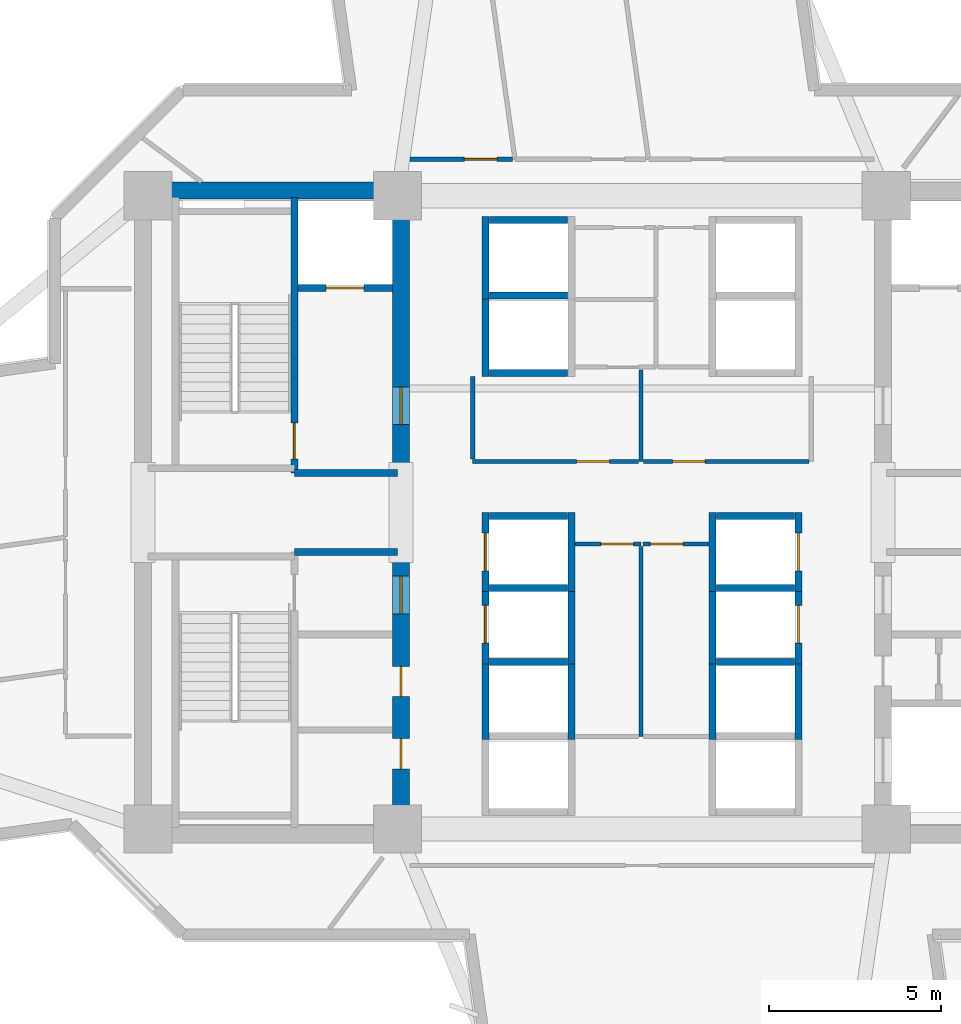
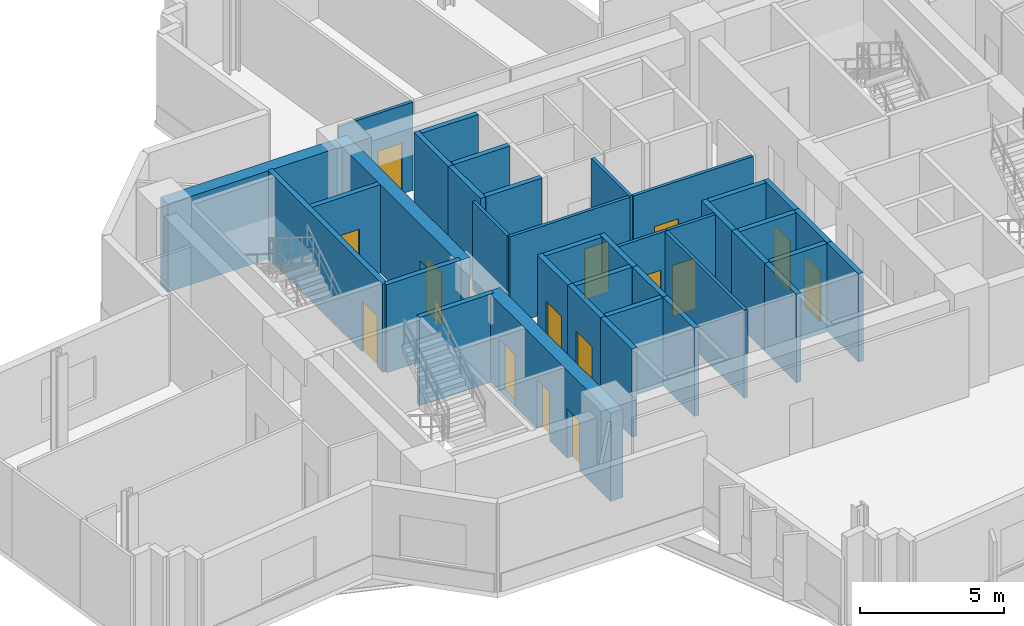
# One storey, part 7 of 14: 38 walls, 15 doors, 15 openings.
"""IFC4 building model written with IfcOpenShell, lengths in metres."""

from ifc_helpers import new_model, si_unit, direction, frame, frame_2d, origin, place, context, subcontext, project, spatial, rectangle, extrude, source, transform, mapped, material, layer, layer_set, type_object, element, fill, save


model = new_model("IFC4")

# Units and contexts
model_context = context("Model", 3, precision=1e-05, world=origin(), true_north=direction((0.0, 1.0)))
body_context = subcontext(model_context, "Body", "Model", "MODEL_VIEW")
ifc_project = project(units=[si_unit("LENGTHUNIT", "METRE"), si_unit("AREAUNIT", "SQUARE_METRE"), si_unit("VOLUMEUNIT", "CUBIC_METRE"), si_unit("PLANEANGLEUNIT", "RADIAN"), si_unit("MASSUNIT", "GRAM", prefix="KILO")], contexts=[model_context])

# Site, building, storey
site_placement = place(None, origin())
site = spatial("IfcSite", under=ifc_project, at=site_placement, CompositionType="ELEMENT")
building_placement = place(site_placement, origin())
building = spatial("IfcBuilding", under=site, at=building_placement, Name="Zahravan Cultural Tower", CompositionType="ELEMENT")
storey_placement = place(building_placement, frame((0.0, 0.0, 121.5)))
storey = spatial("IfcBuildingStorey", under=building, at=storey_placement, Name="L27", CompositionType="ELEMENT", Elevation=121.5)

# Wall, openings, doors
ifc_material_1 = material(Name="Concrete C60/75", Category="concrete")
ifc_layer_1 = layer(ifc_material_1, 0.5)
ifc_layer_set_1 = layer_set([ifc_layer_1], Name="Concrete C60/75")
wall_type_1 = type_object("IfcWallType", Name="CW-SHEAR-500-C60", PredefinedType="SHEAR", material=ifc_layer_set_1)
wall_1_placement = place(storey_placement, frame((29.0, 17.39990234375, 0.0), z_axis=(0.0, 0.0, 1.0), x_axis=(0.0, 1.0, 0.0)))
wall_1 = element("IfcWall", 1, at=wall_1_placement, inside=storey, type_object=wall_type_1, Name="L27 Core Shear Wall CW-W-ES-L27", PredefinedType="SHEAR", context=body_context, shape_type="SweptSolid", body=[
    extrude(rectangle(XDim=8.550048828125, YDim=0.5, at=frame_2d((4.27490234375, 0.0))), origin(), (0.0, 0.0, 1.0), 3.75),
])
opening_1_placement = place(wall_1_placement, frame((6.64990234375, 0.0, 0.0)))
opening_1 = element("IfcOpeningElement", 2, at=opening_1_placement, cuts=wall_1, Name="Opening D-L27-07", PredefinedType="OPENING", context=body_context, shape_type="SweptSolid", body=[
    extrude(rectangle(XDim=1.10009765625, YDim=2.199951171875, at=frame_2d((0.550048828125, 1.10009765625))), frame((0.0, 0.260009765625, 0.0), z_axis=(0.0, -1.0, 0.0), x_axis=(1.0, 0.0, 0.0)), (0.0, 0.0, 1.0), 0.52001953125),
])
opening_2_placement = place(wall_1_placement, frame((2.14990234375, 0.0, 0.0)))
opening_2 = element("IfcOpeningElement", 3, at=opening_2_placement, cuts=wall_1, Name="Opening D-L27-09", PredefinedType="OPENING", context=body_context, shape_type="SweptSolid", body=[
    extrude(rectangle(XDim=0.8798828125, YDim=2.10009765625, at=frame_2d((0.43994140625, 1.050048828125))), frame((0.0, 0.260009765625, 0.0), z_axis=(0.0, -1.0, 0.0), x_axis=(1.0, 0.0, 0.0)), (0.0, 0.0, 1.0), 0.52001953125),
])
opening_3_placement = place(wall_1_placement, frame((4.25, 0.0, 0.0)))
opening_3 = element("IfcOpeningElement", 4, at=opening_3_placement, cuts=wall_1, Name="Opening D-L27-10", PredefinedType="OPENING", context=body_context, shape_type="SweptSolid", body=[
    extrude(rectangle(XDim=0.8798828125, YDim=2.10009765625, at=frame_2d((0.43994140625, 1.050048828125))), frame((0.0, 0.260009765625, 0.0), z_axis=(0.0, -1.0, 0.0), x_axis=(1.0, 0.0, 0.0)), (0.0, 0.0, 1.0), 0.52001953125),
])
ifc_material_2 = material(Name="Steel ASTM A572 Grade 50", Category="steel")
door_type_1 = type_object("IfcDoorType", Name="DR-LOBBY-1100", OperationType="NOTDEFINED", PredefinedType="DOOR", material=ifc_material_2)
shared_shape_1 = source(origin(), body_context, "Body", "SweptSolid", [
    extrude(rectangle(XDim=1.10009765625, YDim=2.199951171875, at=frame_2d((0.550048828125, 1.10009765625))), frame((0.0, 0.02490234375, 0.0), z_axis=(0.0, -1.0, 0.0), x_axis=(1.0, 0.0, 0.0)), (0.0, 0.0, 1.0), 0.050048828125),
])
door_1_placement = place(opening_1_placement, origin())
door_1 = element("IfcDoor", 5, at=door_1_placement, inside=storey, type_object=door_type_1, Name="L27 Door D-L27-07", OperationType="SINGLE_SWING_LEFT", OverallHeight=2.199951171875, OverallWidth=1.10009765625, PredefinedType="DOOR", context=body_context, shape_type="MappedRepresentation", body=[
    mapped(shared_shape_1, transform((0.0, 0.0, 0.0), x_axis=(1.0, 0.0, 0.0), y_axis=(0.0, 1.0, 0.0), z_axis=(0.0, 0.0, 1.0), scale=1.0)),
])
fill(opening_1, door_1)
door_type_2 = type_object("IfcDoorType", Name="DR-SVC-880", OperationType="NOTDEFINED", PredefinedType="DOOR", material=ifc_material_2)
shared_shape_2 = source(origin(), body_context, "Body", "SweptSolid", [
    extrude(rectangle(XDim=0.8798828125, YDim=2.10009765625, at=frame_2d((0.43994140625, 1.050048828125))), frame((0.0, 0.02490234375, 0.0), z_axis=(0.0, -1.0, 0.0), x_axis=(1.0, 0.0, 0.0)), (0.0, 0.0, 1.0), 0.050048828125),
])
door_2_placement = place(opening_2_placement, origin())
door_2 = element("IfcDoor", 6, at=door_2_placement, inside=storey, type_object=door_type_2, Name="L27 Door D-L27-09", OperationType="SINGLE_SWING_LEFT", OverallHeight=2.10009765625, OverallWidth=0.8798828125, PredefinedType="DOOR", context=body_context, shape_type="MappedRepresentation", body=[
    mapped(shared_shape_2, transform((0.0, 0.0, 0.0), x_axis=(1.0, 0.0, 0.0), y_axis=(0.0, 1.0, 0.0), z_axis=(0.0, 0.0, 1.0), scale=1.0)),
])
fill(opening_2, door_2)
door_3_placement = place(opening_3_placement, origin())
door_3 = element("IfcDoor", 7, at=door_3_placement, inside=storey, type_object=door_type_2, Name="L27 Door D-L27-10", OperationType="SINGLE_SWING_RIGHT", OverallHeight=2.10009765625, OverallWidth=0.8798828125, PredefinedType="DOOR", context=body_context, shape_type="MappedRepresentation", body=[
    mapped(shared_shape_2, transform((0.0, 0.0, 0.0), x_axis=(1.0, 0.0, 0.0), y_axis=(0.0, 1.0, 0.0), z_axis=(0.0, 0.0, 1.0), scale=1.0)),
])
fill(opening_3, door_3)

# Wall, opening, door
wall_2_placement = place(storey_placement, frame((29.0, 28.050048828125, 0.0), z_axis=(0.0, 0.0, 1.0), x_axis=(0.0, 1.0, 0.0)))
wall_2 = element("IfcWall", 8, at=wall_2_placement, inside=storey, type_object=wall_type_1, Name="L27 Core Shear Wall CW-W-EN-L27", PredefinedType="SHEAR", context=body_context, shape_type="SweptSolid", body=[
    extrude(rectangle(XDim=8.550048828125, YDim=0.5, at=frame_2d((4.27490234375, 0.0))), origin(), (0.0, 0.0, 1.0), 3.75),
])
opening_4_placement = place(wall_2_placement, frame((1.5, 0.0, 0.0)))
opening_4 = element("IfcOpeningElement", 9, at=opening_4_placement, cuts=wall_2, Name="Opening D-L27-05", PredefinedType="OPENING", context=body_context, shape_type="SweptSolid", body=[
    extrude(rectangle(XDim=1.10009765625, YDim=2.199951171875, at=frame_2d((0.550048828125, 1.10009765625))), frame((0.0, 0.260009765625, 0.0), z_axis=(0.0, -1.0, 0.0), x_axis=(1.0, 0.0, 0.0)), (0.0, 0.0, 1.0), 0.52001953125),
])
door_4_placement = place(opening_4_placement, origin())
door_4 = element("IfcDoor", 10, at=door_4_placement, inside=storey, type_object=door_type_1, Name="L27 Door D-L27-05", OperationType="SINGLE_SWING_LEFT", OverallHeight=2.199951171875, OverallWidth=1.10009765625, PredefinedType="DOOR", context=body_context, shape_type="MappedRepresentation", body=[
    mapped(shared_shape_1, transform((0.0, 0.0, 0.0), x_axis=(1.0, 0.0, 0.0), y_axis=(0.0, 1.0, 0.0), z_axis=(0.0, 0.0, 1.0), scale=1.0)),
])
fill(opening_4, door_4)

ifc_material_3 = material(Name="Gypsum plasterboard partition")
ifc_layer_2 = layer(ifc_material_3, 0.125)
ifc_layer_set_2 = layer_set([ifc_layer_2], Name="Gypsum plasterboard partition")
wall_type_2 = type_object("IfcWallType", Name="W-PART-125", PredefinedType="PARTITIONING", material=ifc_layer_set_2)
wall_3_placement = place(storey_placement, frame((34.054931640625, 26.080078125, 0.0), z_axis=(0.0, 0.0, 1.0), x_axis=(1.0, 0.0, 0.0)))
wall_3 = element("IfcWall", 11, at=wall_3_placement, inside=storey, type_object=wall_type_2, Name="L27 Interior Wall 075", PredefinedType="PARTITIONING", context=body_context, shape_type="SweptSolid", body=[
    extrude(rectangle(XDim=1.9150390625, YDim=0.125, at=frame_2d((0.95751953125, 0.0))), origin(), (0.0, 0.0, 1.0), 3.75),
])
opening_5_placement = place(wall_3_placement, frame((0.752685546875, 0.0, 0.0)))
opening_5 = element("IfcOpeningElement", 12, at=opening_5_placement, cuts=wall_3, Name="Opening D-L27-15", PredefinedType="OPENING", context=body_context, shape_type="SweptSolid", body=[
    extrude(rectangle(XDim=0.949951171875, YDim=2.14990234375, at=frame_2d((0.47509765625, 1.074951171875))), frame((0.0, 0.072509765625, 0.0), z_axis=(0.0, -1.0, 0.0), x_axis=(1.0, 0.0, 0.0)), (0.0, 0.0, 1.0), 0.14501953125),
])
ifc_material_4 = material(Name="Anodised bronze-aluminium mullion", Category="aluminium")
door_type_3 = type_object("IfcDoorType", Name="DR-ROOM-950", OperationType="NOTDEFINED", PredefinedType="DOOR", material=ifc_material_4)
shared_shape_3 = source(origin(), body_context, "Body", "SweptSolid", [
    extrude(rectangle(XDim=0.949951171875, YDim=2.14990234375, at=frame_2d((0.47509765625, 1.074951171875))), frame((0.0, 0.02490234375, 0.0), z_axis=(0.0, -1.0, 0.0), x_axis=(1.0, 0.0, 0.0)), (0.0, 0.0, 1.0), 0.050048828125),
])
door_5_placement = place(opening_5_placement, origin())
door_5 = element("IfcDoor", 13, at=door_5_placement, inside=storey, type_object=door_type_3, Name="L27 Door D-L27-15", OperationType="SINGLE_SWING_LEFT", OverallHeight=2.14990234375, OverallWidth=0.949951171875, PredefinedType="DOOR", context=body_context, shape_type="MappedRepresentation", body=[
    mapped(shared_shape_3, transform((0.0, 0.0, 0.0), x_axis=(1.0, 0.0, 0.0), y_axis=(0.0, 1.0, 0.0), z_axis=(0.0, 0.0, 1.0), scale=1.0)),
])
fill(opening_5, door_5)

wall_4_placement = place(storey_placement, frame((36.030029296875, 26.080078125, 0.0), z_axis=(0.0, 0.0, 1.0), x_axis=(1.0, 0.0, 0.0)))
wall_4 = element("IfcWall", 14, at=wall_4_placement, inside=storey, type_object=wall_type_2, Name="L27 Interior Wall 078", PredefinedType="PARTITIONING", context=body_context, shape_type="SweptSolid", body=[
    extrude(rectangle(XDim=1.9150390625, YDim=0.125, at=frame_2d((0.95751953125, 0.0))), origin(), (0.0, 0.0, 1.0), 3.75),
])
opening_6_placement = place(wall_4_placement, frame((0.21240234375, 0.0, 0.0)))
opening_6 = element("IfcOpeningElement", 15, at=opening_6_placement, cuts=wall_4, Name="Opening D-L27-16", PredefinedType="OPENING", context=body_context, shape_type="SweptSolid", body=[
    extrude(rectangle(XDim=0.949951171875, YDim=2.14990234375, at=frame_2d((0.47509765625, 1.074951171875))), frame((0.0, 0.072509765625, 0.0), z_axis=(0.0, -1.0, 0.0), x_axis=(1.0, 0.0, 0.0)), (0.0, 0.0, 1.0), 0.14501953125),
])
door_6_placement = place(opening_6_placement, origin())
door_6 = element("IfcDoor", 16, at=door_6_placement, inside=storey, type_object=door_type_3, Name="L27 Door D-L27-16", OperationType="SINGLE_SWING_RIGHT", OverallHeight=2.14990234375, OverallWidth=0.949951171875, PredefinedType="DOOR", context=body_context, shape_type="MappedRepresentation", body=[
    mapped(shared_shape_3, transform((0.0, 0.0, 0.0), x_axis=(1.0, 0.0, 0.0), y_axis=(0.0, 1.0, 0.0), z_axis=(0.0, 0.0, 1.0), scale=1.0)),
])
fill(opening_6, door_6)

wall_5_placement = place(storey_placement, frame((35.902587890625, 28.47998046875, 0.0), z_axis=(0.0, 0.0, 1.0), x_axis=(-1.0, 0.0, 0.0)))
wall_5 = element("IfcWall", 17, at=wall_5_placement, inside=storey, type_object=wall_type_2, Name="L27 Interior Wall 081", PredefinedType="PARTITIONING", context=body_context, shape_type="SweptSolid", body=[
    extrude(rectangle(XDim=4.822509765625, YDim=0.125, at=frame_2d((2.4111328125, 0.0))), origin(), (0.0, 0.0, 1.0), 3.75),
])
opening_7_placement = place(wall_5_placement, frame((0.85205078125, 0.0, 0.0)))
opening_7 = element("IfcOpeningElement", 18, at=opening_7_placement, cuts=wall_5, Name="Opening D-L27-17", PredefinedType="OPENING", context=body_context, shape_type="SweptSolid", body=[
    extrude(rectangle(XDim=0.949951171875, YDim=2.14990234375, at=frame_2d((0.47509765625, 1.074951171875))), frame((0.0, 0.072509765625, 0.0), z_axis=(0.0, -1.0, 0.0), x_axis=(1.0, 0.0, 0.0)), (0.0, 0.0, 1.0), 0.14501953125),
])
door_7_placement = place(opening_7_placement, origin())
door_7 = element("IfcDoor", 19, at=door_7_placement, inside=storey, type_object=door_type_3, Name="L27 Door D-L27-17", OperationType="SINGLE_SWING_LEFT", OverallHeight=2.14990234375, OverallWidth=0.949951171875, PredefinedType="DOOR", context=body_context, shape_type="MappedRepresentation", body=[
    mapped(shared_shape_3, transform((0.0, 0.0, 0.0), x_axis=(1.0, 0.0, 0.0), y_axis=(0.0, 1.0, 0.0), z_axis=(0.0, 0.0, 1.0), scale=1.0)),
])
fill(opening_7, door_7)

wall_6_placement = place(storey_placement, frame((40.8525390625, 28.47998046875, 0.0), z_axis=(0.0, 0.0, 1.0), x_axis=(-1.0, 0.0, 0.0)))
wall_6 = element("IfcWall", 20, at=wall_6_placement, inside=storey, type_object=wall_type_2, Name="L27 Interior Wall 084", PredefinedType="PARTITIONING", context=body_context, shape_type="SweptSolid", body=[
    extrude(rectangle(XDim=4.81494140625, YDim=0.125, at=frame_2d((2.407470703125, 0.0))), origin(), (0.0, 0.0, 1.0), 3.75),
])
opening_8_placement = place(wall_6_placement, frame((3.0146484375, 0.0, 0.0)))
opening_8 = element("IfcOpeningElement", 21, at=opening_8_placement, cuts=wall_6, Name="Opening D-L27-18", PredefinedType="OPENING", context=body_context, shape_type="SweptSolid", body=[
    extrude(rectangle(XDim=0.949951171875, YDim=2.14990234375, at=frame_2d((0.47509765625, 1.074951171875))), frame((0.0, 0.072509765625, 0.0), z_axis=(0.0, -1.0, 0.0), x_axis=(1.0, 0.0, 0.0)), (0.0, 0.0, 1.0), 0.14501953125),
])
door_8_placement = place(opening_8_placement, origin())
door_8 = element("IfcDoor", 22, at=door_8_placement, inside=storey, type_object=door_type_3, Name="L27 Door D-L27-18", OperationType="SINGLE_SWING_RIGHT", OverallHeight=2.14990234375, OverallWidth=0.949951171875, PredefinedType="DOOR", context=body_context, shape_type="MappedRepresentation", body=[
    mapped(shared_shape_3, transform((0.0, 0.0, 0.0), x_axis=(1.0, 0.0, 0.0), y_axis=(0.0, 1.0, 0.0), z_axis=(0.0, 0.0, 1.0), scale=1.0)),
])
fill(opening_8, door_8)

wall_7_placement = place(storey_placement, frame((32.24169921875, 37.260009765625, 0.0), z_axis=(0.0, 0.0, 1.0), x_axis=(-0.999999916483, -0.00040869704, 0.0)))
wall_7 = element("IfcWall", 23, at=wall_7_placement, inside=storey, type_object=wall_type_2, Name="L27 Interior Wall 097", PredefinedType="PARTITIONING", context=body_context, shape_type="SweptSolid", body=[
    extrude(rectangle(XDim=2.98681640625, YDim=0.125, at=frame_2d((1.493408203125, 0.0))), origin(), (0.0, 0.0, 1.0), 3.75),
])
opening_9_placement = place(wall_7_placement, frame((0.447998046875, 0.0, 0.0)))
opening_9 = element("IfcOpeningElement", 24, at=opening_9_placement, cuts=wall_7, Name="Opening D-L27-24", PredefinedType="OPENING", context=body_context, shape_type="SweptSolid", body=[
    extrude(rectangle(XDim=0.949951171875, YDim=2.14990234375, at=frame_2d((0.47509765625, 1.074951171875))), frame((0.0, 0.072509765625, 0.0), z_axis=(0.0, -1.0, 0.0), x_axis=(1.0, 0.0, 0.0)), (0.0, 0.0, 1.0), 0.14501953125),
])
door_9_placement = place(opening_9_placement, origin())
door_9 = element("IfcDoor", 25, at=door_9_placement, inside=storey, type_object=door_type_3, Name="L27 Door D-L27-24", OperationType="SINGLE_SWING_RIGHT", OverallHeight=2.14990234375, OverallWidth=0.949951171875, PredefinedType="DOOR", context=body_context, shape_type="MappedRepresentation", body=[
    mapped(shared_shape_3, transform((0.0, 0.0, 0.0), x_axis=(1.0, 0.0, 0.0), y_axis=(0.0, 1.0, 0.0), z_axis=(0.0, 0.0, 1.0), scale=1.0)),
])
fill(opening_9, door_9)

ifc_material_5 = material(Name="Concrete C45/55", Category="concrete")
ifc_layer_3 = layer(ifc_material_5, 0.199951171875)
ifc_layer_set_3 = layer_set([ifc_layer_3], Name="Concrete C45/55")
wall_type_3 = type_object("IfcWallType", Name="W-SHAFT-200", PredefinedType="SOLIDWALL", material=ifc_layer_set_3)
wall_8_placement = place(storey_placement, frame((25.89990234375, 28.14990234375, 0.0), z_axis=(0.0, 0.0, 1.0), x_axis=(0.0, 1.0, 0.0)))
wall_8 = element("IfcWall", 26, at=wall_8_placement, inside=storey, type_object=wall_type_3, Name="L27 Interior Wall 006", PredefinedType="SOLIDWALL", context=body_context, shape_type="SweptSolid", body=[
    extrude(rectangle(XDim=8.0, YDim=0.199951171875, at=frame_2d((4.0, 0.0))), origin(), (0.0, 0.0, 1.0), 3.75),
])
opening_10_placement = place(wall_8_placement, frame((0.39990234375, 0.0, 0.0)))
opening_10 = element("IfcOpeningElement", 27, at=opening_10_placement, cuts=wall_8, Name="Opening D-L27-01", PredefinedType="OPENING", context=body_context, shape_type="SweptSolid", body=[
    extrude(rectangle(XDim=1.050048828125, YDim=2.14990234375, at=frame_2d((0.52490234375, 1.074951171875))), frame((0.0, 0.10986328125, 0.0), z_axis=(0.0, -1.0, 0.0), x_axis=(1.0, 0.0, 0.0)), (0.0, 0.0, 1.0), 0.219970703125),
])
door_type_4 = type_object("IfcDoorType", Name="DR-STAIR-1050", OperationType="NOTDEFINED", PredefinedType="DOOR", material=ifc_material_2)
shared_shape_4 = source(origin(), body_context, "Body", "SweptSolid", [
    extrude(rectangle(XDim=1.050048828125, YDim=2.14990234375, at=frame_2d((0.52490234375, 1.074951171875))), frame((0.0, 0.02490234375, 0.0), z_axis=(0.0, -1.0, 0.0), x_axis=(1.0, 0.0, 0.0)), (0.0, 0.0, 1.0), 0.050048828125),
])
door_10_placement = place(opening_10_placement, origin())
door_10 = element("IfcDoor", 28, at=door_10_placement, inside=storey, type_object=door_type_4, Name="L27 Door D-L27-01", OperationType="SINGLE_SWING_LEFT", OverallHeight=2.14990234375, OverallWidth=1.050048828125, PredefinedType="DOOR", context=body_context, shape_type="MappedRepresentation", body=[
    mapped(shared_shape_4, transform((0.0, 0.0, 0.0), x_axis=(1.0, 0.0, 0.0), y_axis=(0.0, 1.0, 0.0), z_axis=(0.0, 0.0, 1.0), scale=1.0)),
])
fill(opening_10, door_10)

wall_9_placement = place(storey_placement, frame((26.0, 33.52001953125, 0.0), z_axis=(0.0, 0.0, 1.0), x_axis=(1.0, 0.0, 0.0)))
wall_9 = element("IfcWall", 29, at=wall_9_placement, inside=storey, type_object=wall_type_3, Name="L27 Interior Wall 021", PredefinedType="SOLIDWALL", context=body_context, shape_type="SweptSolid", body=[
    extrude(rectangle(XDim=2.75, YDim=0.199951171875, at=frame_2d((1.375, 0.0))), origin(), (0.0, 0.0, 1.0), 3.75),
])
opening_11_placement = place(wall_9_placement, frame((0.820068359375, 0.0, 0.0)))
opening_11 = element("IfcOpeningElement", 30, at=opening_11_placement, cuts=wall_9, Name="Opening LD-L27-01", PredefinedType="OPENING", context=body_context, shape_type="SweptSolid", body=[
    extrude(rectangle(XDim=1.10009765625, YDim=2.14990234375, at=frame_2d((0.550048828125, 1.074951171875))), frame((0.0, 0.10986328125, 0.0), z_axis=(0.0, -1.0, 0.0), x_axis=(1.0, 0.0, 0.0)), (0.0, 0.0, 1.0), 0.219970703125),
])
door_type_5 = type_object("IfcDoorType", Name="DR-LIFT-1100", OperationType="DOUBLE_DOOR_SLIDING", PredefinedType="DOOR", material=ifc_material_2)
shared_shape_5 = source(origin(), body_context, "Body", "SweptSolid", [
    extrude(rectangle(XDim=1.10009765625, YDim=2.14990234375, at=frame_2d((0.550048828125, 1.074951171875))), frame((0.0, 0.02490234375, 0.0), z_axis=(0.0, -1.0, 0.0), x_axis=(1.0, 0.0, 0.0)), (0.0, 0.0, 1.0), 0.050048828125),
])
door_11_placement = place(opening_11_placement, origin())
door_11 = element("IfcDoor", 31, at=door_11_placement, inside=storey, type_object=door_type_5, Name="L27 Door LD-L27-01", OperationType="DOUBLE_DOOR_SLIDING", OverallHeight=2.14990234375, OverallWidth=1.10009765625, PredefinedType="DOOR", context=body_context, shape_type="MappedRepresentation", body=[
    mapped(shared_shape_5, transform((0.0, 0.0, 0.0), x_axis=(1.0, 0.0, 0.0), y_axis=(0.0, 1.0, 0.0), z_axis=(0.0, 0.0, 1.0), scale=1.0)),
])
fill(opening_11, door_11)

wall_10_placement = place(storey_placement, frame((31.449951171875, 24.699951171875, 0.0), z_axis=(0.0, 0.0, 1.0), x_axis=(0.0, 1.0, 0.0)))
wall_10 = element("IfcWall", 32, at=wall_10_placement, inside=storey, type_object=wall_type_3, Name="L27 Interior Wall 056", PredefinedType="SOLIDWALL", context=body_context, shape_type="SweptSolid", body=[
    extrude(rectangle(XDim=2.300048828125, YDim=0.199951171875, at=frame_2d((1.14990234375, 0.0))), origin(), (0.0, 0.0, 1.0), 3.75),
])
opening_12_placement = place(wall_10_placement, frame((0.60009765625, 0.0, 0.0)))
opening_12 = element("IfcOpeningElement", 33, at=opening_12_placement, cuts=wall_10, Name="Opening LD-L27-04", PredefinedType="OPENING", context=body_context, shape_type="SweptSolid", body=[
    extrude(rectangle(XDim=1.10009765625, YDim=2.14990234375, at=frame_2d((0.550048828125, 1.074951171875))), frame((0.0, 0.10986328125, 0.0), z_axis=(0.0, -1.0, 0.0), x_axis=(1.0, 0.0, 0.0)), (0.0, 0.0, 1.0), 0.219970703125),
])
door_12_placement = place(opening_12_placement, origin())
door_12 = element("IfcDoor", 34, at=door_12_placement, inside=storey, type_object=door_type_5, Name="L27 Door LD-L27-04", OperationType="DOUBLE_DOOR_SLIDING", OverallHeight=2.14990234375, OverallWidth=1.10009765625, PredefinedType="DOOR", context=body_context, shape_type="MappedRepresentation", body=[
    mapped(shared_shape_5, transform((0.0, 0.0, 0.0), x_axis=(1.0, 0.0, 0.0), y_axis=(0.0, 1.0, 0.0), z_axis=(0.0, 0.0, 1.0), scale=1.0)),
])
fill(opening_12, door_12)

wall_11_placement = place(storey_placement, frame((31.449951171875, 22.60009765625, 0.0), z_axis=(0.0, 0.0, 1.0), x_axis=(0.0, 1.0, 0.0)))
wall_11 = element("IfcWall", 35, at=wall_11_placement, inside=storey, type_object=wall_type_3, Name="L27 Interior Wall 060", PredefinedType="SOLIDWALL", context=body_context, shape_type="SweptSolid", body=[
    extrude(rectangle(XDim=2.2998046875, YDim=0.199951171875, at=frame_2d((1.14990234375, 0.0))), origin(), (0.0, 0.0, 1.0), 3.75),
])
opening_13_placement = place(wall_11_placement, frame((0.60009765625, 0.0, 0.0)))
opening_13 = element("IfcOpeningElement", 36, at=opening_13_placement, cuts=wall_11, Name="Opening LD-L27-05", PredefinedType="OPENING", context=body_context, shape_type="SweptSolid", body=[
    extrude(rectangle(XDim=1.10009765625, YDim=2.14990234375, at=frame_2d((0.550048828125, 1.074951171875))), frame((0.0, 0.10986328125, 0.0), z_axis=(0.0, -1.0, 0.0), x_axis=(1.0, 0.0, 0.0)), (0.0, 0.0, 1.0), 0.219970703125),
])
door_13_placement = place(opening_13_placement, origin())
door_13 = element("IfcDoor", 37, at=door_13_placement, inside=storey, type_object=door_type_5, Name="L27 Door LD-L27-05", OperationType="DOUBLE_DOOR_SLIDING", OverallHeight=2.14990234375, OverallWidth=1.10009765625, PredefinedType="DOOR", context=body_context, shape_type="MappedRepresentation", body=[
    mapped(shared_shape_5, transform((0.0, 0.0, 0.0), x_axis=(1.0, 0.0, 0.0), y_axis=(0.0, 1.0, 0.0), z_axis=(0.0, 0.0, 1.0), scale=1.0)),
])
fill(opening_13, door_13)

wall_12_placement = place(storey_placement, frame((40.550048828125, 24.699951171875, 0.0), z_axis=(0.0, 0.0, 1.0), x_axis=(0.0, 1.0, 0.0)))
wall_12 = element("IfcWall", 38, at=wall_12_placement, inside=storey, type_object=wall_type_3, Name="L27 Interior Wall 063", PredefinedType="SOLIDWALL", context=body_context, shape_type="SweptSolid", body=[
    extrude(rectangle(XDim=2.300048828125, YDim=0.199951171875, at=frame_2d((1.14990234375, 0.0))), origin(), (0.0, 0.0, 1.0), 3.75),
])
opening_14_placement = place(wall_12_placement, frame((0.60009765625, 0.0, 0.0)))
opening_14 = element("IfcOpeningElement", 39, at=opening_14_placement, cuts=wall_12, Name="Opening LD-L27-06", PredefinedType="OPENING", context=body_context, shape_type="SweptSolid", body=[
    extrude(rectangle(XDim=1.10009765625, YDim=2.14990234375, at=frame_2d((0.550048828125, 1.074951171875))), frame((0.0, 0.10986328125, 0.0), z_axis=(0.0, -1.0, 0.0), x_axis=(1.0, 0.0, 0.0)), (0.0, 0.0, 1.0), 0.219970703125),
])
door_14_placement = place(opening_14_placement, origin())
door_14 = element("IfcDoor", 40, at=door_14_placement, inside=storey, type_object=door_type_5, Name="L27 Door LD-L27-06", OperationType="DOUBLE_DOOR_SLIDING", OverallHeight=2.14990234375, OverallWidth=1.10009765625, PredefinedType="DOOR", context=body_context, shape_type="MappedRepresentation", body=[
    mapped(shared_shape_5, transform((0.0, 0.0, 0.0), x_axis=(1.0, 0.0, 0.0), y_axis=(0.0, 1.0, 0.0), z_axis=(0.0, 0.0, 1.0), scale=1.0)),
])
fill(opening_14, door_14)

wall_13_placement = place(storey_placement, frame((40.550048828125, 22.60009765625, 0.0), z_axis=(0.0, 0.0, 1.0), x_axis=(0.0, 1.0, 0.0)))
wall_13 = element("IfcWall", 41, at=wall_13_placement, inside=storey, type_object=wall_type_3, Name="L27 Interior Wall 067", PredefinedType="SOLIDWALL", context=body_context, shape_type="SweptSolid", body=[
    extrude(rectangle(XDim=2.2998046875, YDim=0.199951171875, at=frame_2d((1.14990234375, 0.0))), origin(), (0.0, 0.0, 1.0), 3.75),
])
opening_15_placement = place(wall_13_placement, frame((0.60009765625, 0.0, 0.0)))
opening_15 = element("IfcOpeningElement", 42, at=opening_15_placement, cuts=wall_13, Name="Opening LD-L27-07", PredefinedType="OPENING", context=body_context, shape_type="SweptSolid", body=[
    extrude(rectangle(XDim=1.10009765625, YDim=2.14990234375, at=frame_2d((0.550048828125, 1.074951171875))), frame((0.0, 0.10986328125, 0.0), z_axis=(0.0, -1.0, 0.0), x_axis=(1.0, 0.0, 0.0)), (0.0, 0.0, 1.0), 0.219970703125),
])
door_15_placement = place(opening_15_placement, origin())
door_15 = element("IfcDoor", 43, at=door_15_placement, inside=storey, type_object=door_type_5, Name="L27 Door LD-L27-07", OperationType="DOUBLE_DOOR_SLIDING", OverallHeight=2.14990234375, OverallWidth=1.10009765625, PredefinedType="DOOR", context=body_context, shape_type="MappedRepresentation", body=[
    mapped(shared_shape_5, transform((0.0, 0.0, 0.0), x_axis=(1.0, 0.0, 0.0), y_axis=(0.0, 1.0, 0.0), z_axis=(0.0, 0.0, 1.0), scale=1.0)),
])
fill(opening_15, door_15)

# Walls
shared_shape_6 = source(origin(), body_context, "Body", "SweptSolid", [
    extrude(rectangle(XDim=7.0, YDim=0.5, at=frame_2d((3.5, 0.0))), origin(), (0.0, 0.0, 1.0), 3.75),
])
wall_14_placement = place(storey_placement, frame((21.75, 36.35009765625, 0.0), z_axis=(0.0, 0.0, 1.0), x_axis=(1.0, 0.0, 0.0)))
element("IfcWall", 44, at=wall_14_placement, inside=storey, type_object=wall_type_1, Name="L27 Core Shear Wall CW-W-N-L27", PredefinedType="SHEAR", context=body_context, shape_type="MappedRepresentation", body=[
    mapped(shared_shape_6, transform((0.0, 0.0, 0.0), x_axis=(1.0, 0.0, 0.0), y_axis=(0.0, 1.0, 0.0), z_axis=(0.0, 0.0, 1.0), scale=1.0)),
])
shared_shape_7 = source(origin(), body_context, "Body", "SweptSolid", [
    extrude(rectangle(XDim=3.0, YDim=0.199951171875, at=frame_2d((1.5, 0.0))), origin(), (0.0, 0.0, 1.0), 3.75),
])
for number, where, z_axis, x_axis, name in (
    (45, (25.89990234375, 25.85009765625, 0.0), (0.0, 0.0, 1.0), (1.0, 0.0, 0.0), "L27 Interior Wall 010"),
    (46, (25.89990234375, 28.14990234375, 0.0), (0.0, 0.0, 1.0), (1.0, 0.0, 0.0), "L27 Interior Wall 012"),
):
    element("IfcWall", number, at=place(storey_placement, frame(where, z_axis=z_axis, x_axis=x_axis)), inside=storey, type_object=wall_type_3, Name=name, PredefinedType="SOLIDWALL", context=body_context, shape_type="MappedRepresentation", body=[
        mapped(shared_shape_7, transform((0.0, 0.0, 0.0), x_axis=(1.0, 0.0, 0.0), y_axis=(0.0, 1.0, 0.0), z_axis=(0.0, 0.0, 1.0), scale=1.0)),
    ])
shared_shape_8 = source(origin(), body_context, "Body", "SweptSolid", [
    extrude(rectangle(XDim=2.400146484375, YDim=0.199951171875, at=frame_2d((1.2001953125, 0.0))), origin(), (0.0, 0.0, 1.0), 3.75),
])
for number, where, z_axis, x_axis, name in (
    (47, (31.449951171875, 33.199951171875, 0.0), (0.0, 0.0, 1.0), (0.0, 1.0, 0.0), "L27 Interior Wall 028"),
    (48, (31.449951171875, 30.949951171875, 0.0), (0.0, 0.0, 1.0), (0.0, 1.0, 0.0), "L27 Interior Wall 032"),
):
    element("IfcWall", number, at=place(storey_placement, frame(where, z_axis=z_axis, x_axis=x_axis)), inside=storey, type_object=wall_type_3, Name=name, PredefinedType="SOLIDWALL", context=body_context, shape_type="MappedRepresentation", body=[
        mapped(shared_shape_8, transform((0.0, 0.0, 0.0), x_axis=(1.0, 0.0, 0.0), y_axis=(0.0, 1.0, 0.0), z_axis=(0.0, 0.0, 1.0), scale=1.0)),
    ])
shared_shape_9 = source(origin(), body_context, "Body", "SweptSolid", [
    extrude(rectangle(XDim=2.260009765625, YDim=0.199951171875, at=frame_2d((1.1298828125, 0.0))), origin(), (0.0, 0.0, 1.0), 3.75),
])
for number, where, z_axis, x_axis, name in (
    (49, (31.570068359375, 33.300048828125, 0.0), (0.0, 0.0, 1.0), (1.0, 0.0, 0.0), "L27 Interior Wall 030"),
    (50, (31.570068359375, 35.5, 0.0), (0.0, 0.0, 1.0), (1.0, 0.0, 0.0), "L27 Interior Wall 031"),
    (51, (31.570068359375, 31.050048828125, 0.0), (0.0, 0.0, 1.0), (1.0, 0.0, 0.0), "L27 Interior Wall 034"),
    (52, (31.570068359375, 22.64990234375, 0.0), (0.0, 0.0, 1.0), (1.0, 0.0, 0.0), "L27 Interior Wall 045"),
    (53, (38.169921875, 22.64990234375, 0.0), (0.0, 0.0, 1.0), (1.0, 0.0, 0.0), "L27 Interior Wall 052"),
    (54, (31.570068359375, 24.800048828125, 0.0), (0.0, 0.0, 1.0), (1.0, 0.0, 0.0), "L27 Interior Wall 058"),
    (55, (31.570068359375, 26.89990234375, 0.0), (0.0, 0.0, 1.0), (1.0, 0.0, 0.0), "L27 Interior Wall 059"),
    (56, (38.169921875, 24.800048828125, 0.0), (0.0, 0.0, 1.0), (1.0, 0.0, 0.0), "L27 Interior Wall 064"),
    (57, (38.169921875, 26.89990234375, 0.0), (0.0, 0.0, 1.0), (1.0, 0.0, 0.0), "L27 Interior Wall 065"),
):
    element("IfcWall", number, at=place(storey_placement, frame(where, z_axis=z_axis, x_axis=x_axis)), inside=storey, type_object=wall_type_3, Name=name, PredefinedType="SOLIDWALL", context=body_context, shape_type="MappedRepresentation", body=[
        mapped(shared_shape_9, transform((0.0, 0.0, 0.0), x_axis=(1.0, 0.0, 0.0), y_axis=(0.0, 1.0, 0.0), z_axis=(0.0, 0.0, 1.0), scale=1.0)),
    ])
shared_shape_10 = source(origin(), body_context, "Body", "SweptSolid", [
    extrude(rectangle(XDim=2.35009765625, YDim=0.199951171875, at=frame_2d((1.175048828125, 0.0))), origin(), (0.0, 0.0, 1.0), 3.75),
])
for number, where, z_axis, x_axis, name in (
    (58, (31.449951171875, 20.39990234375, 0.0), (0.0, 0.0, 1.0), (0.0, 1.0, 0.0), "L27 Interior Wall 042"),
    (59, (33.949951171875, 20.39990234375, 0.0), (0.0, 0.0, 1.0), (0.0, 1.0, 0.0), "L27 Interior Wall 043"),
    (60, (38.050048828125, 20.39990234375, 0.0), (0.0, 0.0, 1.0), (0.0, 1.0, 0.0), "L27 Interior Wall 049"),
    (61, (40.550048828125, 20.39990234375, 0.0), (0.0, 0.0, 1.0), (0.0, 1.0, 0.0), "L27 Interior Wall 050"),
):
    element("IfcWall", number, at=place(storey_placement, frame(where, z_axis=z_axis, x_axis=x_axis)), inside=storey, type_object=wall_type_3, Name=name, PredefinedType="SOLIDWALL", context=body_context, shape_type="MappedRepresentation", body=[
        mapped(shared_shape_10, transform((0.0, 0.0, 0.0), x_axis=(1.0, 0.0, 0.0), y_axis=(0.0, 1.0, 0.0), z_axis=(0.0, 0.0, 1.0), scale=1.0)),
    ])
shared_shape_11 = source(origin(), body_context, "Body", "SweptSolid", [
    extrude(rectangle(XDim=2.300048828125, YDim=0.199951171875, at=frame_2d((1.14990234375, 0.0))), origin(), (0.0, 0.0, 1.0), 3.75),
])
for number, where, z_axis, x_axis, name in (
    (62, (33.949951171875, 24.699951171875, 0.0), (0.0, 0.0, 1.0), (0.0, 1.0, 0.0), "L27 Interior Wall 057"),
    (63, (38.050048828125, 24.699951171875, 0.0), (0.0, 0.0, 1.0), (0.0, 1.0, 0.0), "L27 Interior Wall 062"),
):
    element("IfcWall", number, at=place(storey_placement, frame(where, z_axis=z_axis, x_axis=x_axis)), inside=storey, type_object=wall_type_3, Name=name, PredefinedType="SOLIDWALL", context=body_context, shape_type="MappedRepresentation", body=[
        mapped(shared_shape_11, transform((0.0, 0.0, 0.0), x_axis=(1.0, 0.0, 0.0), y_axis=(0.0, 1.0, 0.0), z_axis=(0.0, 0.0, 1.0), scale=1.0)),
    ])
shared_shape_12 = source(origin(), body_context, "Body", "SweptSolid", [
    extrude(rectangle(XDim=2.2998046875, YDim=0.199951171875, at=frame_2d((1.14990234375, 0.0))), origin(), (0.0, 0.0, 1.0), 3.75),
])
for number, where, z_axis, x_axis, name in (
    (64, (33.949951171875, 22.60009765625, 0.0), (0.0, 0.0, 1.0), (0.0, 1.0, 0.0), "L27 Interior Wall 061"),
    (65, (38.050048828125, 22.60009765625, 0.0), (0.0, 0.0, 1.0), (0.0, 1.0, 0.0), "L27 Interior Wall 066"),
):
    element("IfcWall", number, at=place(storey_placement, frame(where, z_axis=z_axis, x_axis=x_axis)), inside=storey, type_object=wall_type_3, Name=name, PredefinedType="SOLIDWALL", context=body_context, shape_type="MappedRepresentation", body=[
        mapped(shared_shape_12, transform((0.0, 0.0, 0.0), x_axis=(1.0, 0.0, 0.0), y_axis=(0.0, 1.0, 0.0), z_axis=(0.0, 0.0, 1.0), scale=1.0)),
    ])
shared_shape_13 = source(origin(), body_context, "Body", "SweptSolid", [
    extrude(rectangle(XDim=5.5224609375, YDim=0.125, at=frame_2d((2.76123046875, 0.0))), origin(), (0.0, 0.0, 1.0), 3.75),
])
wall_15_placement = place(storey_placement, frame((35.969970703125, 26.012451171875, 0.0), z_axis=(0.0, 0.0, 1.0), x_axis=(0.0, -1.0, 0.0)))
element("IfcWall", 66, at=wall_15_placement, inside=storey, type_object=wall_type_2, Name="L27 Interior Wall 076", PredefinedType="PARTITIONING", context=body_context, shape_type="MappedRepresentation", body=[
    mapped(shared_shape_13, transform((0.0, 0.0, 0.0), x_axis=(1.0, 0.0, 0.0), y_axis=(0.0, 1.0, 0.0), z_axis=(0.0, 0.0, 1.0), scale=1.0)),
])
shared_shape_14 = source(origin(), body_context, "Body", "SweptSolid", [
    extrude(rectangle(XDim=2.659912109375, YDim=0.125, at=frame_2d((1.330078125, 0.0))), origin(), (0.0, 0.0, 1.0), 3.75),
])
wall_16_placement = place(storey_placement, frame((35.969970703125, 31.139892578125, 0.0), z_axis=(0.0, 0.0, 1.0), x_axis=(0.0, -1.0, 0.0)))
element("IfcWall", 67, at=wall_16_placement, inside=storey, type_object=wall_type_2, Name="L27 Interior Wall 080", PredefinedType="PARTITIONING", context=body_context, shape_type="MappedRepresentation", body=[
    mapped(shared_shape_14, transform((0.0, 0.0, 0.0), x_axis=(1.0, 0.0, 0.0), y_axis=(0.0, 1.0, 0.0), z_axis=(0.0, 0.0, 1.0), scale=1.0)),
])
shared_shape_15 = source(origin(), body_context, "Body", "SweptSolid", [
    extrude(rectangle(XDim=2.40234375, YDim=0.125, at=frame_2d((1.201171875, 0.0))), origin(), (0.0, 0.0, 1.0), 3.75),
])
wall_17_placement = place(storey_placement, frame((31.080078125, 28.547607421875, 0.0), z_axis=(0.0, 0.0, 1.0), x_axis=(0.0, 1.0, 0.0)))
element("IfcWall", 68, at=wall_17_placement, inside=storey, type_object=wall_type_2, Name="L27 Interior Wall 082", PredefinedType="PARTITIONING", context=body_context, shape_type="MappedRepresentation", body=[
    mapped(shared_shape_15, transform((0.0, 0.0, 0.0), x_axis=(1.0, 0.0, 0.0), y_axis=(0.0, 1.0, 0.0), z_axis=(0.0, 0.0, 1.0), scale=1.0)),
])

save(model, "model.ifc")
